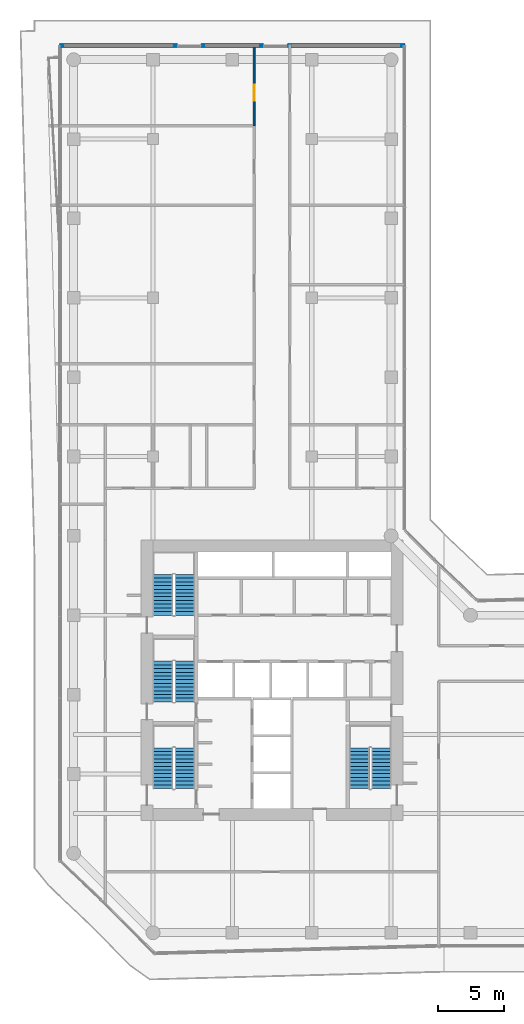
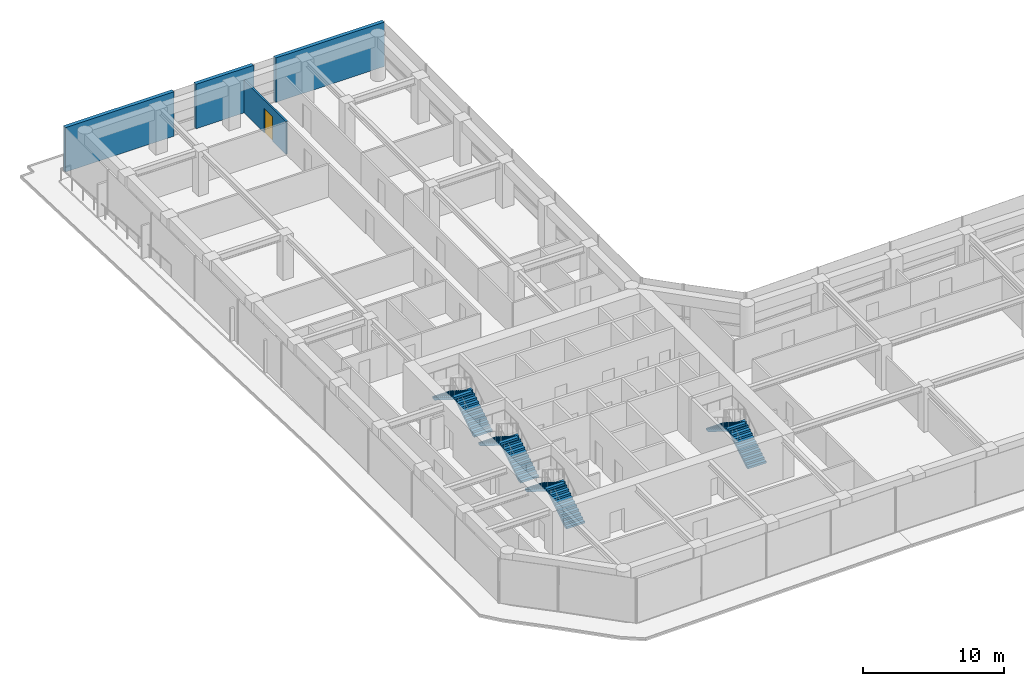
# One storey, part 27 of 29: 8 stair flights, 4 walls, 1 door, 1 opening, 4 elements without a shape of their own.
"""IFC4 building model written with IfcOpenShell, lengths in metres."""

from ifc_helpers import new_model, si_unit, direction, frame, frame_2d, origin, place, context, subcontext, project, spatial, polyline, rectangle, outline, extrude, material, layer, layer_set, type_object, element, fill, aggregate, save


model = new_model("IFC4")

# Units and contexts
model_context = context("Model", 3, precision=1e-05, world=origin(), true_north=direction((0.0, 1.0)))
body_context = subcontext(model_context, "Body", "Model", "MODEL_VIEW")
ifc_project = project(units=[si_unit("LENGTHUNIT", "METRE"), si_unit("AREAUNIT", "SQUARE_METRE"), si_unit("VOLUMEUNIT", "CUBIC_METRE"), si_unit("PLANEANGLEUNIT", "RADIAN"), si_unit("MASSUNIT", "GRAM", prefix="KILO")], contexts=[model_context])

# Site, building, storey
site_placement = place(None, origin())
site = spatial("IfcSite", under=ifc_project, at=site_placement, CompositionType="ELEMENT")
building_placement = place(site_placement, origin())
building = spatial("IfcBuilding", under=site, at=building_placement, Name="Welwitschia Terrace Campus", CompositionType="ELEMENT")
storey_placement = place(building_placement, frame((0.0, 0.0, 58.39990234375)))
storey = spatial("IfcBuildingStorey", under=building, at=storey_placement, Name="L13", CompositionType="ELEMENT", Elevation=58.39990234375)

# Wall, opening, door
ifc_material_1 = material(Name="Gypsum board on steel studs", Category="steel")
ifc_layer_1 = layer(ifc_material_1, 0.14990234375)
ifc_layer_set_1 = layer_set([ifc_layer_1], Name="Gypsum board on steel studs")
wall_type_1 = type_object("IfcWallType", Name="Corridor partition 150 EI 30", PredefinedType="PARTITIONING", material=ifc_layer_set_1)
wall_1_placement = place(storey_placement, frame((13.64990234375, 57.0, 0.0), z_axis=(0.0, 0.0, 1.0), x_axis=(0.0, 1.0, 0.0)))
wall_1 = element("IfcWall", 1, at=wall_1_placement, inside=storey, type_object=wall_type_1, Name="Partition", PredefinedType="PARTITIONING", context=body_context, shape_type="SweptSolid", body=[
    extrude(rectangle(XDim=6.117919921875, YDim=0.14990234375, at=frame_2d((3.05908203125, 0.0))), origin(), (0.0, 0.0, 1.0), 2.830078125),
])
opening_placement = place(wall_1_placement, frame((1.889892578125, 0.0, 0.0)))
opening = element("IfcOpeningElement", 2, at=opening_placement, cuts=wall_1, Name="Opening DI12", PredefinedType="OPENING", context=body_context, shape_type="SweptSolid", body=[
    extrude(rectangle(XDim=1.199951171875, YDim=2.10009765625, at=frame_2d((0.60009765625, 1.050048828125))), frame((0.0, 0.0849609375, 0.0), z_axis=(0.0, -1.0, 0.0), x_axis=(1.0, 0.0, 0.0)), (0.0, 0.0, 1.0), 0.169921875),
])
ifc_material_2 = material(Name="Timber veneered door", Category="wood")
door_type = type_object("IfcDoorType", Name="Interior door DI12", OperationType="NOTDEFINED", PredefinedType="DOOR", material=ifc_material_2)
door_placement = place(opening_placement, origin())
door = element("IfcDoor", 3, at=door_placement, inside=storey, type_object=door_type, Name="Door L13 297", OperationType="SINGLE_SWING_RIGHT", OverallHeight=2.10009765625, OverallWidth=1.199951171875, PredefinedType="DOOR", context=body_context, shape_type="SweptSolid", body=[
    extrude(rectangle(XDim=1.199951171875, YDim=2.10009765625, at=frame_2d((0.60009765625, 1.050048828125))), frame((0.0, 0.02490234375, 0.0), z_axis=(0.0, -1.0, 0.0), x_axis=(1.0, 0.0, 0.0)), (0.0, 0.0, 1.0), 0.050048828125),
])
fill(opening, door)

# Walls
ifc_material_3 = material(Name="Concrete C40/50", Category="concrete")
ifc_layer_2 = layer(ifc_material_3, 0.300048828125)
ifc_layer_set_2 = layer_set([ifc_layer_2], Name="Concrete C40/50")
wall_type_2 = type_object("IfcWallType", Name="Mass wall 300", PredefinedType="SOLIDWALL", material=ifc_layer_set_2)
wall_2_placement = place(storey_placement, frame((25.05810546875, 63.07373046875, 0.0), z_axis=(0.0, 0.0, 1.0), x_axis=(-1.0, 0.0, 0.0)))
element("IfcWall", 4, at=wall_2_placement, inside=storey, type_object=wall_type_2, Name="Mass wall L13.11.0", PredefinedType="SOLIDWALL", context=body_context, shape_type="SweptSolid", body=[
    extrude(rectangle(XDim=8.8935546875, YDim=0.300048828125, at=frame_2d((4.44677734375, 0.0))), origin(), (0.0, 0.0, 1.0), 3.85009765625),
])
wall_3_placement = place(storey_placement, frame((14.364501953125, 63.080078125, 0.0), z_axis=(0.0, 0.0, 1.0), x_axis=(-1.0, 0.0, 0.0)))
element("IfcWall", 5, at=wall_3_placement, inside=storey, type_object=wall_type_2, Name="Mass wall L13.11.1", PredefinedType="SOLIDWALL", context=body_context, shape_type="SweptSolid", body=[
    extrude(rectangle(XDim=4.72900390625, YDim=0.300048828125, at=frame_2d((2.364501953125, 0.0))), origin(), (0.0, 0.0, 1.0), 3.85009765625),
])
wall_4_placement = place(storey_placement, frame((7.83544921875, 63.07373046875, 0.0), z_axis=(0.0, 0.0, 1.0), x_axis=(-1.0, 0.0, 0.0)))
element("IfcWall", 6, at=wall_4_placement, inside=storey, type_object=wall_type_2, Name="Mass wall L13.11.2", PredefinedType="SOLIDWALL", context=body_context, shape_type="SweptSolid", body=[
    extrude(rectangle(XDim=8.8935546875, YDim=0.300048828125, at=frame_2d((4.44677734375, 0.0))), origin(), (0.0, 0.0, 1.0), 3.85009765625),
])

# Stair, stair flights
ifc_material_4 = material(Name="Concrete C40/50", Category="concrete")
stair_type = type_object("IfcStairType", Name="Stair 24R 175 W1500", PredefinedType="HALF_TURN_STAIR", material=ifc_material_4)
stair_1_placement = place(storey_placement, origin())
stair_1 = element("IfcStair", 7, at=stair_1_placement, inside=storey, type_object=stair_type, Name="L13 Exit stair S1", PredefinedType="HALF_TURN_STAIR")
ifc_material_5 = material(Name="Concrete C40/50", Category="concrete")
stair_flight_type = type_object("IfcStairFlightType", Name="Stair flight 24R 175 W1500", PredefinedType="STRAIGHT", material=ifc_material_5)
stair_flight_1_placement = place(storey_placement, frame((8.39990234375, 6.89990234375, 0.0), z_axis=(0.0, 0.0, 1.0), x_axis=(0.0, 1.0, 0.0)))
stair_flight_1 = element("IfcStairFlight", 8, at=stair_flight_1_placement, type_object=stair_flight_type, Name="S1 flight 1", NumberOfRisers=12, NumberOfTreads=11, PredefinedType="STRAIGHT", RiserHeight=0.175, TreadLength=0.28, context=body_context, shape_type="SweptSolid", body=[
    extrude(outline(polyline([(0.0, 0.0), (0.0, 0.175048828125), (0.280029296875, 0.175048828125), (0.280029296875, 0.35009765625), (0.56005859375, 0.35009765625), (0.56005859375, 0.52490234375), (0.840087890625, 0.52490234375), (0.840087890625, 0.699951171875), (1.1201171875, 0.699951171875), (1.1201171875, 0.875), (1.39990234375, 0.875), (1.39990234375, 1.050048828125), (1.679931640625, 1.050048828125), (1.679931640625, 1.22509765625), (1.9599609375, 1.22509765625), (1.9599609375, 1.39990234375), (2.239990234375, 1.39990234375), (2.239990234375, 1.574951171875), (2.52001953125, 1.574951171875), (2.52001953125, 1.75), (2.800048828125, 1.75), (2.800048828125, 1.925048828125), (3.080078125, 1.925048828125), (3.080078125, 2.10009765625), (3.080078125, 1.748291015625), (0.28271484375, 0.0), (0.0, 0.0)])), frame((0.0, 0.75, 0.0), z_axis=(0.0, -1.0, 0.0), x_axis=(1.0, 0.0, 0.0)), (0.0, 0.0, 1.0), 1.5),
])
stair_flight_2_placement = place(storey_placement, frame((6.75, 9.97998046875, 2.10009765625), z_axis=(0.0, 0.0, 1.0), x_axis=(0.0, -1.0, 0.0)))
stair_flight_2 = element("IfcStairFlight", 9, at=stair_flight_2_placement, type_object=stair_flight_type, Name="S1 flight 2", NumberOfRisers=12, NumberOfTreads=11, PredefinedType="STRAIGHT", RiserHeight=0.175, TreadLength=0.28, context=body_context, shape_type="SweptSolid", body=[
    extrude(outline(polyline([(0.0, 0.0), (0.0, 0.175048828125), (0.280029296875, 0.175048828125), (0.280029296875, 0.35009765625), (0.56005859375, 0.35009765625), (0.56005859375, 0.52490234375), (0.840087890625, 0.52490234375), (0.840087890625, 0.699951171875), (1.1201171875, 0.699951171875), (1.1201171875, 0.875), (1.39990234375, 0.875), (1.39990234375, 1.050048828125), (1.679931640625, 1.050048828125), (1.679931640625, 1.22509765625), (1.9599609375, 1.22509765625), (1.9599609375, 1.39990234375), (2.239990234375, 1.39990234375), (2.239990234375, 1.574951171875), (2.52001953125, 1.574951171875), (2.52001953125, 1.75), (2.800048828125, 1.75), (2.800048828125, 1.925048828125), (3.080078125, 1.925048828125), (3.080078125, 2.10009765625), (3.080078125, 1.748291015625), (0.28271484375, 0.0), (0.0, 0.0)])), frame((0.0, 0.75, 0.0), z_axis=(0.0, -1.0, 0.0), x_axis=(1.0, 0.0, 0.0)), (0.0, 0.0, 1.0), 1.5),
])
aggregate(stair_1, [stair_flight_1, stair_flight_2])

stair_2_placement = place(storey_placement, origin())
stair_2 = element("IfcStair", 10, at=stair_2_placement, inside=storey, type_object=stair_type, Name="L13 Exit stair S3", PredefinedType="HALF_TURN_STAIR")
stair_flight_3_placement = place(storey_placement, frame((8.39990234375, 13.449951171875, 0.0), z_axis=(0.0, 0.0, 1.0), x_axis=(0.0, 1.0, 0.0)))
stair_flight_3 = element("IfcStairFlight", 11, at=stair_flight_3_placement, type_object=stair_flight_type, Name="S3 flight 1", NumberOfRisers=12, NumberOfTreads=11, PredefinedType="STRAIGHT", RiserHeight=0.175, TreadLength=0.28, context=body_context, shape_type="SweptSolid", body=[
    extrude(outline(polyline([(0.0, 0.0), (0.0, 0.175048828125), (0.280029296875, 0.175048828125), (0.280029296875, 0.35009765625), (0.56005859375, 0.35009765625), (0.56005859375, 0.52490234375), (0.840087890625, 0.52490234375), (0.840087890625, 0.699951171875), (1.1201171875, 0.699951171875), (1.1201171875, 0.875), (1.39990234375, 0.875), (1.39990234375, 1.050048828125), (1.679931640625, 1.050048828125), (1.679931640625, 1.22509765625), (1.9599609375, 1.22509765625), (1.9599609375, 1.39990234375), (2.239990234375, 1.39990234375), (2.239990234375, 1.574951171875), (2.52001953125, 1.574951171875), (2.52001953125, 1.75), (2.800048828125, 1.75), (2.800048828125, 1.925048828125), (3.080078125, 1.925048828125), (3.080078125, 2.10009765625), (3.080078125, 1.748291015625), (0.28271484375, 0.0), (0.0, 0.0)])), frame((0.0, 0.75, 0.0), z_axis=(0.0, -1.0, 0.0), x_axis=(1.0, 0.0, 0.0)), (0.0, 0.0, 1.0), 1.5),
])
stair_flight_4_placement = place(storey_placement, frame((6.75, 16.530029296875, 2.10009765625), z_axis=(0.0, 0.0, 1.0), x_axis=(0.0, -1.0, 0.0)))
stair_flight_4 = element("IfcStairFlight", 12, at=stair_flight_4_placement, type_object=stair_flight_type, Name="S3 flight 2", NumberOfRisers=12, NumberOfTreads=11, PredefinedType="STRAIGHT", RiserHeight=0.175, TreadLength=0.28, context=body_context, shape_type="SweptSolid", body=[
    extrude(outline(polyline([(0.0, 0.0), (0.0, 0.175048828125), (0.280029296875, 0.175048828125), (0.280029296875, 0.35009765625), (0.56005859375, 0.35009765625), (0.56005859375, 0.52490234375), (0.840087890625, 0.52490234375), (0.840087890625, 0.699951171875), (1.1201171875, 0.699951171875), (1.1201171875, 0.875), (1.39990234375, 0.875), (1.39990234375, 1.050048828125), (1.679931640625, 1.050048828125), (1.679931640625, 1.22509765625), (1.9599609375, 1.22509765625), (1.9599609375, 1.39990234375), (2.239990234375, 1.39990234375), (2.239990234375, 1.574951171875), (2.52001953125, 1.574951171875), (2.52001953125, 1.75), (2.800048828125, 1.75), (2.800048828125, 1.925048828125), (3.080078125, 1.925048828125), (3.080078125, 2.10009765625), (3.080078125, 1.748291015625), (0.28271484375, 0.0), (0.0, 0.0)])), frame((0.0, 0.75, 0.0), z_axis=(0.0, -1.0, 0.0), x_axis=(1.0, 0.0, 0.0)), (0.0, 0.0, 1.0), 1.5),
])
aggregate(stair_2, [stair_flight_3, stair_flight_4])

stair_3_placement = place(storey_placement, origin())
stair_3 = element("IfcStair", 13, at=stair_3_placement, inside=storey, type_object=stair_type, Name="L13 Exit stair S4", PredefinedType="HALF_TURN_STAIR")
stair_flight_5_placement = place(storey_placement, frame((8.39990234375, 20.0, 0.0), z_axis=(0.0, 0.0, 1.0), x_axis=(0.0, 1.0, 0.0)))
stair_flight_5 = element("IfcStairFlight", 14, at=stair_flight_5_placement, type_object=stair_flight_type, Name="S4 flight 1", NumberOfRisers=12, NumberOfTreads=11, PredefinedType="STRAIGHT", RiserHeight=0.175, TreadLength=0.28, context=body_context, shape_type="SweptSolid", body=[
    extrude(outline(polyline([(0.0, 0.0), (0.0, 0.175048828125), (0.280029296875, 0.175048828125), (0.280029296875, 0.35009765625), (0.56005859375, 0.35009765625), (0.56005859375, 0.52490234375), (0.840087890625, 0.52490234375), (0.840087890625, 0.699951171875), (1.1201171875, 0.699951171875), (1.1201171875, 0.875), (1.39990234375, 0.875), (1.39990234375, 1.050048828125), (1.679931640625, 1.050048828125), (1.679931640625, 1.22509765625), (1.9599609375, 1.22509765625), (1.9599609375, 1.39990234375), (2.239990234375, 1.39990234375), (2.239990234375, 1.574951171875), (2.52001953125, 1.574951171875), (2.52001953125, 1.75), (2.800048828125, 1.75), (2.800048828125, 1.925048828125), (3.080078125, 1.925048828125), (3.080078125, 2.10009765625), (3.080078125, 1.748291015625), (0.28271484375, 0.0), (0.0, 0.0)])), frame((0.0, 0.75, 0.0), z_axis=(0.0, -1.0, 0.0), x_axis=(1.0, 0.0, 0.0)), (0.0, 0.0, 1.0), 1.5),
])
stair_flight_6_placement = place(storey_placement, frame((6.75, 23.080078125, 2.10009765625), z_axis=(0.0, 0.0, 1.0), x_axis=(0.0, -1.0, 0.0)))
stair_flight_6 = element("IfcStairFlight", 15, at=stair_flight_6_placement, type_object=stair_flight_type, Name="S4 flight 2", NumberOfRisers=12, NumberOfTreads=11, PredefinedType="STRAIGHT", RiserHeight=0.175, TreadLength=0.28, context=body_context, shape_type="SweptSolid", body=[
    extrude(outline(polyline([(0.0, 0.0), (0.0, 0.175048828125), (0.280029296875, 0.175048828125), (0.280029296875, 0.35009765625), (0.56005859375, 0.35009765625), (0.56005859375, 0.52490234375), (0.840087890625, 0.52490234375), (0.840087890625, 0.699951171875), (1.1201171875, 0.699951171875), (1.1201171875, 0.875), (1.39990234375, 0.875), (1.39990234375, 1.050048828125), (1.679931640625, 1.050048828125), (1.679931640625, 1.22509765625), (1.9599609375, 1.22509765625), (1.9599609375, 1.39990234375), (2.239990234375, 1.39990234375), (2.239990234375, 1.574951171875), (2.52001953125, 1.574951171875), (2.52001953125, 1.75), (2.800048828125, 1.75), (2.800048828125, 1.925048828125), (3.080078125, 1.925048828125), (3.080078125, 2.10009765625), (3.080078125, 1.748291015625), (0.28271484375, 0.0), (0.0, 0.0)])), frame((0.0, 0.75, 0.0), z_axis=(0.0, -1.0, 0.0), x_axis=(1.0, 0.0, 0.0)), (0.0, 0.0, 1.0), 1.5),
])
aggregate(stair_3, [stair_flight_5, stair_flight_6])

stair_4_placement = place(storey_placement, origin())
stair_4 = element("IfcStair", 16, at=stair_4_placement, inside=storey, type_object=stair_type, Name="L13 Exit stair S2", PredefinedType="HALF_TURN_STAIR")
stair_flight_7_placement = place(storey_placement, frame((23.25, 6.89990234375, 0.0), z_axis=(0.0, 0.0, 1.0), x_axis=(0.0, 1.0, 0.0)))
stair_flight_7 = element("IfcStairFlight", 17, at=stair_flight_7_placement, type_object=stair_flight_type, Name="S2 flight 1", NumberOfRisers=12, NumberOfTreads=11, PredefinedType="STRAIGHT", RiserHeight=0.175, TreadLength=0.28, context=body_context, shape_type="SweptSolid", body=[
    extrude(outline(polyline([(0.0, 0.0), (0.0, 0.175048828125), (0.280029296875, 0.175048828125), (0.280029296875, 0.35009765625), (0.56005859375, 0.35009765625), (0.56005859375, 0.52490234375), (0.840087890625, 0.52490234375), (0.840087890625, 0.699951171875), (1.1201171875, 0.699951171875), (1.1201171875, 0.875), (1.39990234375, 0.875), (1.39990234375, 1.050048828125), (1.679931640625, 1.050048828125), (1.679931640625, 1.22509765625), (1.9599609375, 1.22509765625), (1.9599609375, 1.39990234375), (2.239990234375, 1.39990234375), (2.239990234375, 1.574951171875), (2.52001953125, 1.574951171875), (2.52001953125, 1.75), (2.800048828125, 1.75), (2.800048828125, 1.925048828125), (3.080078125, 1.925048828125), (3.080078125, 2.10009765625), (3.080078125, 1.748291015625), (0.28271484375, 0.0), (0.0, 0.0)])), frame((0.0, 0.75, 0.0), z_axis=(0.0, -1.0, 0.0), x_axis=(1.0, 0.0, 0.0)), (0.0, 0.0, 1.0), 1.5),
])
stair_flight_8_placement = place(storey_placement, frame((21.60009765625, 9.97998046875, 2.10009765625), z_axis=(0.0, 0.0, 1.0), x_axis=(0.0, -1.0, 0.0)))
stair_flight_8 = element("IfcStairFlight", 18, at=stair_flight_8_placement, type_object=stair_flight_type, Name="S2 flight 2", NumberOfRisers=12, NumberOfTreads=11, PredefinedType="STRAIGHT", RiserHeight=0.175, TreadLength=0.28, context=body_context, shape_type="SweptSolid", body=[
    extrude(outline(polyline([(0.0, 0.0), (0.0, 0.175048828125), (0.280029296875, 0.175048828125), (0.280029296875, 0.35009765625), (0.56005859375, 0.35009765625), (0.56005859375, 0.52490234375), (0.840087890625, 0.52490234375), (0.840087890625, 0.699951171875), (1.1201171875, 0.699951171875), (1.1201171875, 0.875), (1.39990234375, 0.875), (1.39990234375, 1.050048828125), (1.679931640625, 1.050048828125), (1.679931640625, 1.22509765625), (1.9599609375, 1.22509765625), (1.9599609375, 1.39990234375), (2.239990234375, 1.39990234375), (2.239990234375, 1.574951171875), (2.52001953125, 1.574951171875), (2.52001953125, 1.75), (2.800048828125, 1.75), (2.800048828125, 1.925048828125), (3.080078125, 1.925048828125), (3.080078125, 2.10009765625), (3.080078125, 1.748291015625), (0.28271484375, 0.0), (0.0, 0.0)])), frame((0.0, 0.75, 0.0), z_axis=(0.0, -1.0, 0.0), x_axis=(1.0, 0.0, 0.0)), (0.0, 0.0, 1.0), 1.5),
])
aggregate(stair_4, [stair_flight_7, stair_flight_8])

save(model, "model.ifc")
